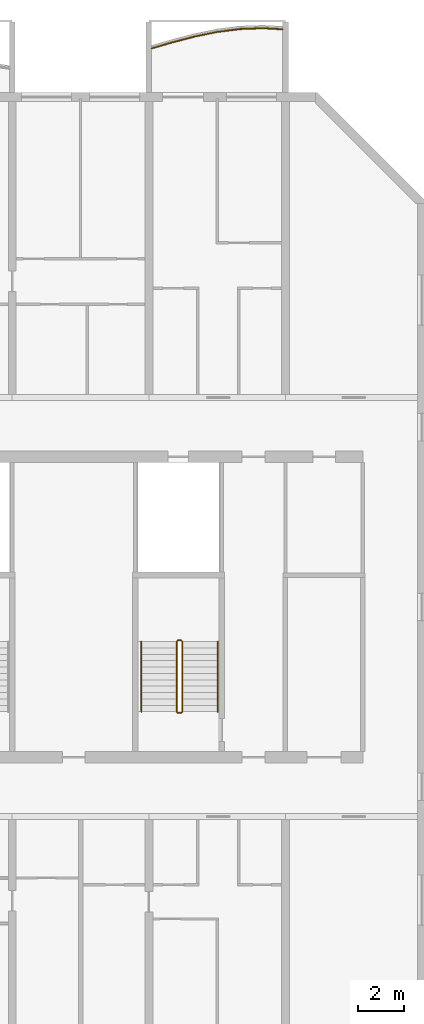
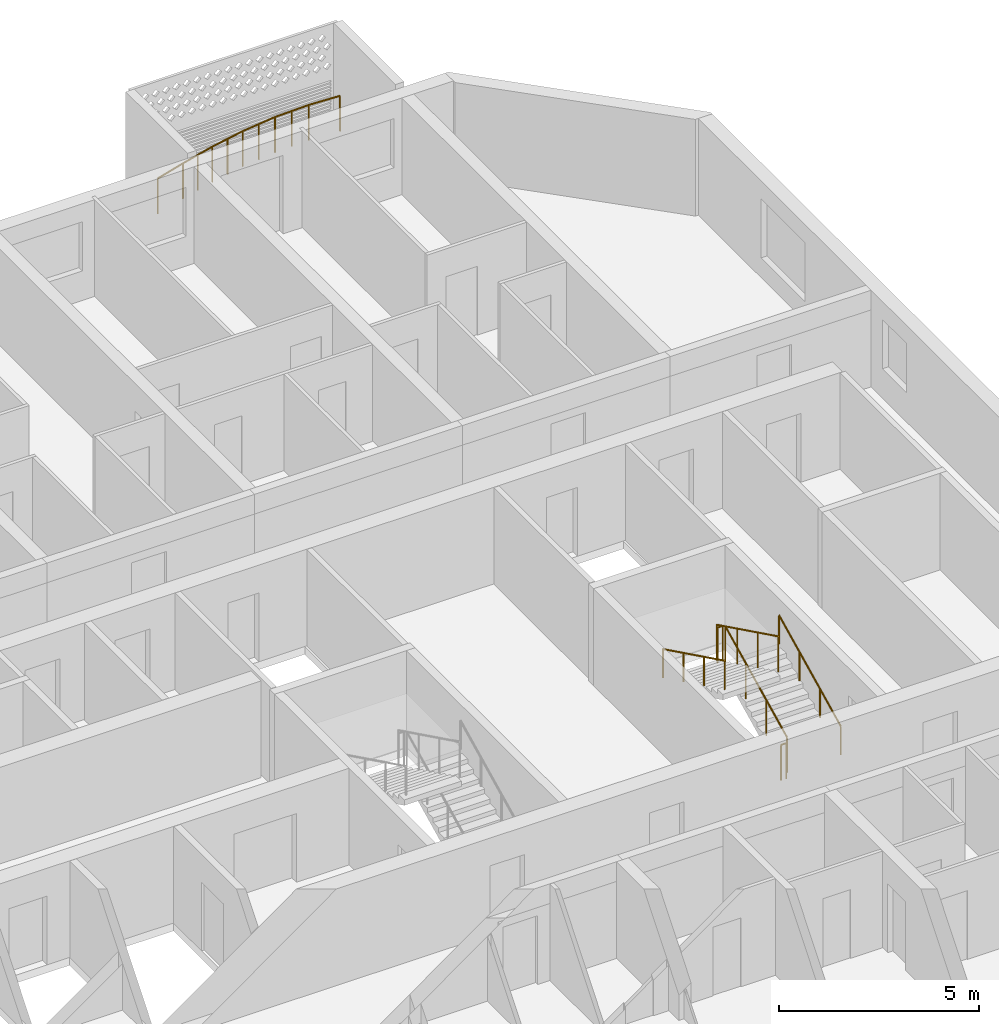
# One storey, part 23 of 24: 7 railings.
"""IFC4 building model written with IfcOpenShell, lengths in metres."""

import ifcopenshell
import ifcopenshell.guid

model = None  # the IFC model being written
_history = None  # IfcOwnerHistory: only IFC2X3 demands one
_inside = {}  # id of a spatial element -> (the spatial element, [elements in it])
_under = {}  # id of a project, library or spatial element -> (it, [spatial elements below it])
_declared = {}  # id of a project -> (the project, [libraries it declares])
_typed = {}  # id of a type object -> (the type object, [elements of that type])
_made_of = {}  # id of a material, layer set ... -> (it, [elements and type objects made of it])


def new_model(schema):
    """Start an empty IFC model of exactly this schema.

    Asked for "IFC4X3", IfcOpenShell would pick the latest addendum, in which some entities
    have other attributes; the version numbers below select the first issue.
    IFC2X3 requires an IfcOwnerHistory on every rooted entity: one is made here for all.
    """
    global model, _history
    if schema == "IFC4X3":
        model = ifcopenshell.file(schema_version=(4, 3, 0, 0))
    else:
        model = ifcopenshell.file(schema=schema)
    _inside.clear()
    _under.clear()
    _declared.clear()
    _typed.clear()
    _made_of.clear()
    _history = None
    if model.schema == "IFC2X3":
        org = make("IfcOrganization", Name="unknown")
        user = make(
            "IfcPersonAndOrganization",
            ThePerson=make("IfcPerson", FamilyName="unknown"),
            TheOrganization=org,
        )
        app = make(
            "IfcApplication",
            ApplicationDeveloper=org,
            Version="unknown",
            ApplicationFullName="unknown",
            ApplicationIdentifier="unknown",
        )
        _history = make(
            "IfcOwnerHistory",
            OwningUser=user,
            OwningApplication=app,
            ChangeAction="ADDED",
            CreationDate=0,
        )
    return model


def make(cls, **values):
    """One entity of the class cls with the attributes given. An attribute that is None is left unset."""
    return model.create_entity(
        cls, **{name: value for name, value in values.items() if value is not None}
    )


def rooted(cls, **values):
    """An entity with a GlobalId (a new one), such as an element, a storey or a relation."""
    return make(cls, GlobalId=ifcopenshell.guid.new(), OwnerHistory=_history, **values)


def si_unit(unit_type, name, prefix=None):
    """IfcSIUnit, for example si_unit("LENGTHUNIT", "METRE", prefix="MILLI")."""
    return make("IfcSIUnit", UnitType=unit_type, Prefix=prefix, Name=name)


def assignment(units):
    """IfcUnitAssignment: the units of a project."""
    return None if units is None else make("IfcUnitAssignment", Units=units)


def point(xyz):
    """IfcCartesianPoint."""
    return None if xyz is None else make("IfcCartesianPoint", Coordinates=xyz)


def direction(xyz):
    """IfcDirection."""
    return None if xyz is None else make("IfcDirection", DirectionRatios=xyz)


def frame(location, z_axis=None, x_axis=None):
    """IfcAxis2Placement3D, a coordinate frame: its origin and axes. An axis left out is left unset."""
    return make(
        "IfcAxis2Placement3D",
        Location=point(location),
        Axis=direction(z_axis),
        RefDirection=direction(x_axis),
    )


def frame_2d(location, x_axis=None):
    """IfcAxis2Placement2D, a coordinate frame in the plane: its origin and x axis."""
    return make(
        "IfcAxis2Placement2D", Location=point(location), RefDirection=direction(x_axis)
    )


def origin():
    """The frame at (0, 0, 0) with its axes left unset."""
    return frame((0.0, 0.0, 0.0))


def origin_2d():
    """The frame at (0, 0) in the plane with its x axis left unset."""
    return frame_2d((0.0, 0.0))


def place(relative_to, where):
    """IfcLocalPlacement: puts the frame where relative to a parent placement (None: the world)."""
    return make(
        "IfcLocalPlacement", PlacementRelTo=relative_to, RelativePlacement=where
    )


def context(
    kind, dimensions, precision=None, world=None, true_north=None, identifier=None
):
    """IfcGeometricRepresentationContext, for example the 3D "Model" context."""
    return make(
        "IfcGeometricRepresentationContext",
        ContextIdentifier=identifier,
        ContextType=kind,
        CoordinateSpaceDimension=dimensions,
        Precision=precision,
        WorldCoordinateSystem=world,
        TrueNorth=true_north,
    )


def subcontext(parent, identifier, kind, view, scale=None):
    """IfcGeometricRepresentationSubContext, for example "Body" below "Model"."""
    return make(
        "IfcGeometricRepresentationSubContext",
        ContextIdentifier=identifier,
        ContextType=kind,
        ParentContext=parent,
        TargetScale=scale,
        TargetView=view,
    )


def project(units=None, contexts=None):
    """IfcProject with its units and contexts."""
    return rooted(
        "IfcProject",
        Name="project",
        RepresentationContexts=contexts,
        UnitsInContext=assignment(units),
    )


def spatial(cls, under=None, at=None, **own):
    """A site, building, storey or space (cls), placed at a placement, below another one or the project."""
    s = rooted(cls, ObjectPlacement=at, **own)
    if under is not None:
        _under.setdefault(under.id(), (under, []))[1].append(s)
    return s


def profile(cls, at=None, kind="AREA", **sizes):
    """A parametric profile (cls). Its sizes go by their IFC names, for example OverallWidth=200.0."""
    return make(cls, ProfileType=kind, Position=at, **sizes)


def circle(**sizes):
    """IfcCircleProfileDef."""
    return profile("IfcCircleProfileDef", **sizes)


def extrude(swept, where, along, depth):
    """IfcExtrudedAreaSolid: the profile swept, set in the frame where, extruded along a direction by depth."""
    return make(
        "IfcExtrudedAreaSolid",
        SweptArea=swept,
        Position=where,
        ExtrudedDirection=direction(along),
        Depth=depth,
    )


def shape(context_of_items, identifier, shape_type, items):
    """IfcShapeRepresentation: the items that make up one representation, for example the "Body"."""
    return make(
        "IfcShapeRepresentation",
        ContextOfItems=context_of_items,
        RepresentationIdentifier=identifier,
        RepresentationType=shape_type,
        Items=items,
    )


def material(Name=None, Category=None):
    """IfcMaterial."""
    return make("IfcMaterial", Name=Name, Category=Category)


def made_of(thing, what):
    """Note that an element or type object is made of a material, layer set ...; save() writes the relation."""
    if what is not None:
        _made_of.setdefault(what.id(), (what, []))[1].append(thing)
    return thing


def type_object(cls, material=None, **own):
    """A type object (cls), such as IfcWallType, which elements share."""
    return made_of(rooted(cls, **own), material)


def element(
    cls,
    number,
    at=None,
    inside=None,
    cuts=None,
    type_object=None,
    material=None,
    context=None,
    identifier="Body",
    shape_type=None,
    held_by="IfcProductDefinitionShape",
    body=None,
    shapes=None,
    **own,
):
    """One element of the class cls, such as IfcWall. Its Tag is "e" and its number.

    at: its placement. inside: the storey or other place that contains it. cuts: it is an
    opening in that element (IfcRelVoidsElement). A single representation is given by context,
    identifier, shape_type and body (its items); several are given by shapes. held_by: the class
    of the entity that holds the representations. save() writes the other relations.
    """
    e = rooted(cls, Tag="e%d" % number, ObjectPlacement=at, **own)
    if body is not None:
        shapes = [shape(context, identifier, shape_type, body)]
    if shapes is not None:
        e.Representation = make(held_by, Representations=shapes)
    if inside is not None:
        _inside.setdefault(inside.id(), (inside, []))[1].append(e)
    if cuts is not None:
        rooted(
            "IfcRelVoidsElement", RelatingBuildingElement=cuts, RelatedOpeningElement=e
        )
    if type_object is not None:
        _typed.setdefault(type_object.id(), (type_object, []))[1].append(e)
    return made_of(e, material)


def aggregate(whole, parts):
    """IfcRelAggregates: a whole, such as a stair, and the parts it consists of."""
    return rooted("IfcRelAggregates", RelatingObject=whole, RelatedObjects=parts)


def save(model, path):
    """Write the relations noted so far, then the file.

    IfcRelAggregates (storeys below a building ...), IfcRelContainedInSpatialStructure (elements
    in a storey), IfcRelDefinesByType, IfcRelAssociatesMaterial and IfcRelDeclares: one each for
    every whole, place, type object, material and project.
    """
    for whole, parts in _under.values():
        aggregate(whole, parts)
    for where, things in _inside.values():
        rooted(
            "IfcRelContainedInSpatialStructure",
            RelatedElements=things,
            RelatingStructure=where,
        )
    for kind, things in _typed.values():
        rooted("IfcRelDefinesByType", RelatedObjects=things, RelatingType=kind)
    for what, things in _made_of.values():
        rooted("IfcRelAssociatesMaterial", RelatedObjects=things, RelatingMaterial=what)
    for by, libraries in _declared.values():
        rooted("IfcRelDeclares", RelatingContext=by, RelatedDefinitions=libraries)
    model.write(path)


model = new_model("IFC4")

# Units and contexts
model_context = context("Model", 3, precision=1e-05, world=origin(), true_north=direction((0.0, 1.0)))
body_context = subcontext(model_context, "Body", "Model", "MODEL_VIEW")
ifc_project = project(units=[si_unit("LENGTHUNIT", "METRE"), si_unit("AREAUNIT", "SQUARE_METRE"), si_unit("VOLUMEUNIT", "CUBIC_METRE"), si_unit("PLANEANGLEUNIT", "RADIAN"), si_unit("MASSUNIT", "GRAM", prefix="KILO")], contexts=[model_context])

# Site, building, storey
site_placement = place(None, origin())
site = spatial("IfcSite", under=ifc_project, at=site_placement, CompositionType="ELEMENT")
building_placement = place(site_placement, origin())
building = spatial("IfcBuilding", under=site, at=building_placement, Name="Poui Terraces", CompositionType="ELEMENT")
storey_placement = place(building_placement, frame((0.0, 0.0, 112.5)))
storey = spatial("IfcBuildingStorey", under=building, at=storey_placement, Name="L31", CompositionType="ELEMENT", Elevation=112.5)

# Railings
ifc_material_1 = material(Name="Painted steel fretwork", Category="steel")
railing_type_1 = type_object("IfcRailingType", Name="BALCONY GUARD 1100", PredefinedType="GUARDRAIL", material=ifc_material_1)
railing_1_placement = place(storey_placement, frame((78.125, 45.732177734375, 0.0)))
element("IfcRailing", 1, at=railing_1_placement, inside=storey, type_object=railing_type_1, Name="BALCONY GUARD", PredefinedType="GUARDRAIL", context=body_context, shape_type="SweptSolid", body=[
    extrude(circle(Radius=0.02392578125, at=origin_2d()), frame((0.0, 0.0, 1.076171875), z_axis=(0.959879926868, 0.280411351404, 0.0), x_axis=(-0.280411351404, 0.959879926868, 0.0)), (0.0, 0.0, 1.0), 0.91162109375),
    extrude(circle(Radius=0.02392578125, at=origin_2d()), frame((0.875, 0.255615234375, 1.076171875), z_axis=(0.967126511287, 0.25429571598, 0.0), x_axis=(-0.25429571598, 0.967126511287, 0.0)), (0.0, 0.0, 1.0), 1.033935546875),
    extrude(circle(Radius=0.02392578125, at=origin_2d()), frame((1.875, 0.5185546875, 1.076171875), z_axis=(0.979518122884, 0.201356020378, 0.0), x_axis=(-0.201356020378, 0.979518122884, 0.0)), (0.0, 0.0, 1.0), 1.02099609375),
    extrude(circle(Radius=0.02392578125, at=origin_2d()), frame((2.875, 0.72412109375, 1.076171875), z_axis=(0.992007284566, 0.126180614077, 0.0), x_axis=(-0.126180614077, 0.992007284566, 0.0)), (0.0, 0.0, 1.0), 1.008056640625),
    extrude(circle(Radius=0.02392578125, at=origin_2d()), frame((3.875, 0.851318359375, 1.076171875), z_axis=(0.999365338401, 0.035621909035, 0.0), x_axis=(-0.035621909035, 0.999365338401, 0.0)), (0.0, 0.0, 1.0), 1.000732421875),
    extrude(circle(Radius=0.02392578125, at=origin_2d()), frame((4.875, 0.886962890625, 1.076171875), z_axis=(0.998582977112, -0.053216894149, 0.0), x_axis=(0.053216894149, 0.998582977112, 0.0)), (0.0, 0.0, 1.0), 0.876220703125),
    extrude(circle(Radius=0.02099609375, at=origin_2d()), origin(), (0.0, 0.0, 1.0), 1.052001953125),
    extrude(circle(Radius=0.02099609375, at=origin_2d()), frame((0.875, 0.255615234375, 0.0)), (0.0, 0.0, 1.0), 1.052001953125),
    extrude(circle(Radius=0.02099609375, at=origin_2d()), frame((1.375, 0.38720703125, 0.0)), (0.0, 0.0, 1.0), 1.052001953125),
    extrude(circle(Radius=0.02099609375, at=origin_2d()), frame((1.875, 0.5185546875, 0.0)), (0.0, 0.0, 1.0), 1.052001953125),
    extrude(circle(Radius=0.02099609375, at=origin_2d()), frame((2.375, 0.621337890625, 0.0)), (0.0, 0.0, 1.0), 1.052001953125),
    extrude(circle(Radius=0.02099609375, at=origin_2d()), frame((2.875, 0.72412109375, 0.0)), (0.0, 0.0, 1.0), 1.052001953125),
    extrude(circle(Radius=0.02099609375, at=origin_2d()), frame((3.375, 0.78759765625, 0.0)), (0.0, 0.0, 1.0), 1.052001953125),
    extrude(circle(Radius=0.02099609375, at=origin_2d()), frame((3.875, 0.851318359375, 0.0)), (0.0, 0.0, 1.0), 1.052001953125),
    extrude(circle(Radius=0.02099609375, at=origin_2d()), frame((4.375, 0.869140625, 0.0)), (0.0, 0.0, 1.0), 1.052001953125),
    extrude(circle(Radius=0.02099609375, at=origin_2d()), frame((4.875, 0.886962890625, 0.0)), (0.0, 0.0, 1.0), 1.052001953125),
    extrude(circle(Radius=0.02099609375, at=origin_2d()), frame((5.75, 0.84033203125, 0.0)), (0.0, 0.0, 1.0), 1.052001953125),
])
ifc_material_2 = material(Name="Galvanised steel balustrade", Category="steel")
railing_type_2 = type_object("IfcRailingType", Name="STAIR GUARD 1100", PredefinedType="GUARDRAIL", material=ifc_material_2)
railing_2_placement = place(storey_placement, frame((79.47509765625, 16.60009765625, 0.137451171875)))
element("IfcRailing", 2, at=railing_2_placement, inside=storey, type_object=railing_type_2, Name="L31 ST-E stair guard 1", PredefinedType="GUARDRAIL", context=body_context, shape_type="SweptSolid", body=[
    extrude(circle(Radius=0.02392578125, at=origin_2d()), frame((0.0, 0.0, 1.076171875), z_axis=(0.0, 0.897606190399, 0.440798283751), x_axis=(-1.0, 0.0, 0.0)), (0.0, 0.0, 1.0), 3.43115234375),
    extrude(circle(Radius=0.02099609375, at=origin_2d()), origin(), (0.0, 0.0, 1.0), 1.052001953125),
    extrude(circle(Radius=0.02099609375, at=origin_2d()), frame((0.0, 1.026611328125, 0.504150390625)), (0.0, 0.0, 1.0), 1.052001953125),
    extrude(circle(Radius=0.02099609375, at=origin_2d()), frame((0.0, 2.05322265625, 1.00830078125)), (0.0, 0.0, 1.0), 1.052001953125),
    extrude(circle(Radius=0.02099609375, at=origin_2d()), frame((0.0, 3.079833984375, 1.512451171875)), (0.0, 0.0, 1.0), 1.052001953125),
])
railing_3_placement = place(storey_placement, frame((79.425048828125, 19.72998046875, 1.64990234375)))
element("IfcRailing", 3, at=railing_3_placement, inside=storey, type_object=railing_type_2, Name="L31 ST-E stair guard 2", PredefinedType="GUARDRAIL", context=body_context, shape_type="SweptSolid", body=[
    extrude(circle(Radius=0.02392578125, at=origin_2d()), frame((0.0, 0.0, 1.076171875), z_axis=(-1.0, 0.0, 0.0), x_axis=(0.0, -1.0, 0.0)), (0.0, 0.0, 1.0), 0.150146484375),
    extrude(circle(Radius=0.02099609375, at=origin_2d()), origin(), (0.0, 0.0, 1.0), 1.052001953125),
    extrude(circle(Radius=0.02099609375, at=origin_2d()), frame((-0.150146484375, 0.0, 0.0)), (0.0, 0.0, 1.0), 1.052001953125),
])
railing_4_placement = place(storey_placement, frame((79.22509765625, 19.679931640625, 1.78759765625)))
element("IfcRailing", 4, at=railing_4_placement, inside=storey, type_object=railing_type_2, Name="L31 ST-E stair guard 3", PredefinedType="GUARDRAIL", context=body_context, shape_type="SweptSolid", body=[
    extrude(circle(Radius=0.02392578125, at=origin_2d()), frame((0.0, 0.0, 1.076171875), z_axis=(0.0, -0.897606190399, 0.440798283751), x_axis=(1.0, 0.0, 0.0)), (0.0, 0.0, 1.0), 3.43115234375),
    extrude(circle(Radius=0.02099609375, at=origin_2d()), origin(), (0.0, 0.0, 1.0), 1.052001953125),
    extrude(circle(Radius=0.02099609375, at=origin_2d()), frame((0.0, -1.026611328125, 0.504150390625)), (0.0, 0.0, 1.0), 1.052001953125),
    extrude(circle(Radius=0.02099609375, at=origin_2d()), frame((0.0, -2.05322265625, 1.00830078125)), (0.0, 0.0, 1.0), 1.052001953125),
    extrude(circle(Radius=0.02099609375, at=origin_2d()), frame((0.0, -3.079833984375, 1.512451171875)), (0.0, 0.0, 1.0), 1.052001953125),
])
railing_5_placement = place(storey_placement, frame((79.425048828125, 16.550048828125, 0.0)))
element("IfcRailing", 5, at=railing_5_placement, inside=storey, type_object=railing_type_2, Name="L31 ST-E stair guard 4", PredefinedType="GUARDRAIL", context=body_context, shape_type="SweptSolid", body=[
    extrude(circle(Radius=0.02392578125, at=origin_2d()), frame((0.0, 0.0, 1.076171875), z_axis=(-1.0, 0.0, 0.0), x_axis=(0.0, -1.0, 0.0)), (0.0, 0.0, 1.0), 0.150146484375),
    extrude(circle(Radius=0.02099609375, at=origin_2d()), origin(), (0.0, 0.0, 1.0), 1.052001953125),
    extrude(circle(Radius=0.02099609375, at=origin_2d()), frame((-0.150146484375, 0.0, 0.0)), (0.0, 0.0, 1.0), 1.052001953125),
])
ifc_material_3 = material(Name="Stainless steel handrail", Category="steel")
railing_type_3 = type_object("IfcRailingType", Name="STAIR HANDRAIL 900", PredefinedType="HANDRAIL", material=ifc_material_3)
railing_6_placement = place(storey_placement, frame((81.02490234375, 16.60009765625, 0.137451171875)))
element("IfcRailing", 6, at=railing_6_placement, inside=storey, type_object=railing_type_3, Name="L31 ST-E stair handrail 1", PredefinedType="HANDRAIL", context=body_context, shape_type="SweptSolid", body=[
    extrude(circle(Radius=0.02392578125, at=origin_2d()), frame((0.0, 0.0, 0.8759765625), z_axis=(0.0, 0.897606190399, 0.440798283751), x_axis=(-1.0, 0.0, 0.0)), (0.0, 0.0, 1.0), 3.43115234375),
    extrude(circle(Radius=0.02099609375, at=origin_2d()), origin(), (0.0, 0.0, 1.0), 0.851806640625),
    extrude(circle(Radius=0.02099609375, at=origin_2d()), frame((0.0, 1.026611328125, 0.504150390625)), (0.0, 0.0, 1.0), 0.851806640625),
    extrude(circle(Radius=0.02099609375, at=origin_2d()), frame((0.0, 2.05322265625, 1.00830078125)), (0.0, 0.0, 1.0), 0.851806640625),
    extrude(circle(Radius=0.02099609375, at=origin_2d()), frame((0.0, 3.079833984375, 1.512451171875)), (0.0, 0.0, 1.0), 0.851806640625),
])
railing_7_placement = place(storey_placement, frame((77.675048828125, 19.679931640625, 1.78759765625)))
element("IfcRailing", 7, at=railing_7_placement, inside=storey, type_object=railing_type_3, Name="L31 ST-E stair handrail 2", PredefinedType="HANDRAIL", context=body_context, shape_type="SweptSolid", body=[
    extrude(circle(Radius=0.02392578125, at=origin_2d()), frame((0.0, 0.0, 0.8759765625), z_axis=(0.0, -0.897606190399, 0.440798283751), x_axis=(1.0, 0.0, 0.0)), (0.0, 0.0, 1.0), 3.43115234375),
    extrude(circle(Radius=0.02099609375, at=origin_2d()), origin(), (0.0, 0.0, 1.0), 0.851806640625),
    extrude(circle(Radius=0.02099609375, at=origin_2d()), frame((0.0, -1.026611328125, 0.504150390625)), (0.0, 0.0, 1.0), 0.851806640625),
    extrude(circle(Radius=0.02099609375, at=origin_2d()), frame((0.0, -2.05322265625, 1.00830078125)), (0.0, 0.0, 1.0), 0.851806640625),
    extrude(circle(Radius=0.02099609375, at=origin_2d()), frame((0.0, -3.079833984375, 1.512451171875)), (0.0, 0.0, 1.0), 0.851806640625),
])

save(model, "model.ifc")
